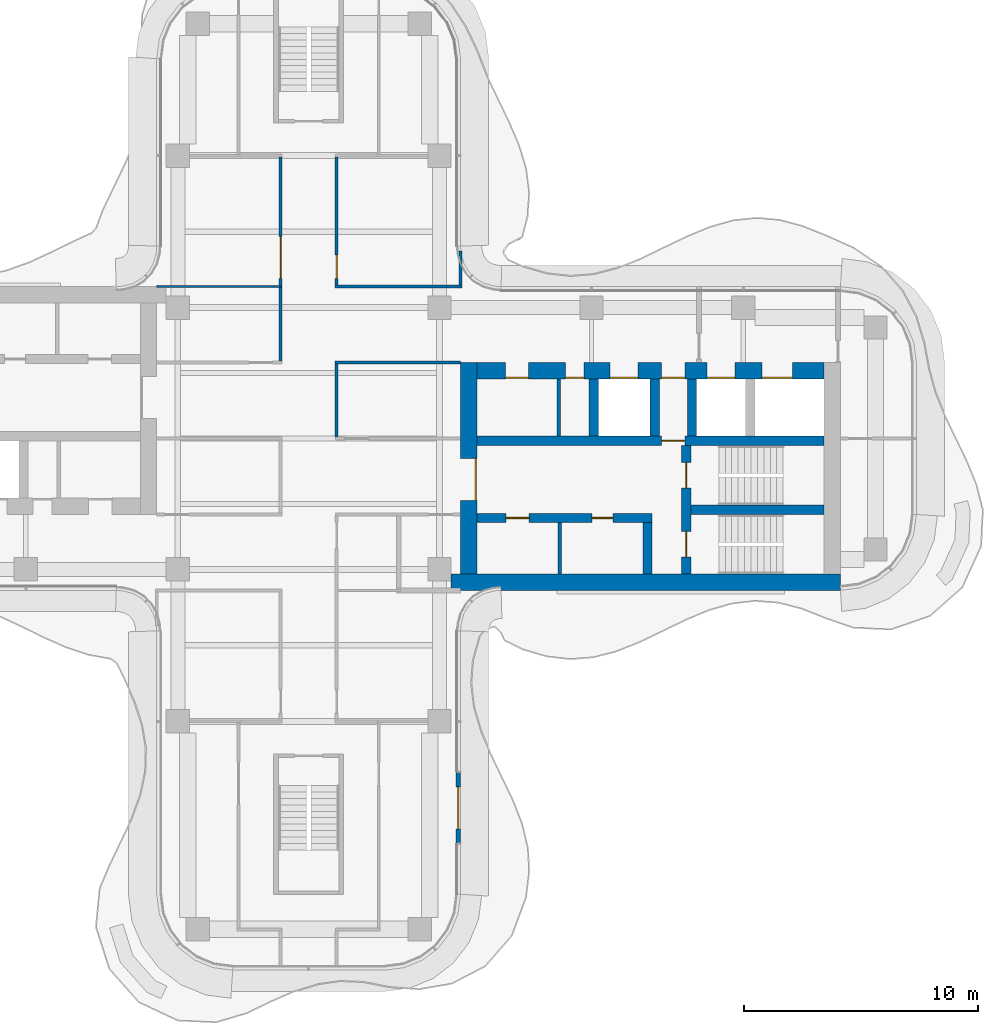
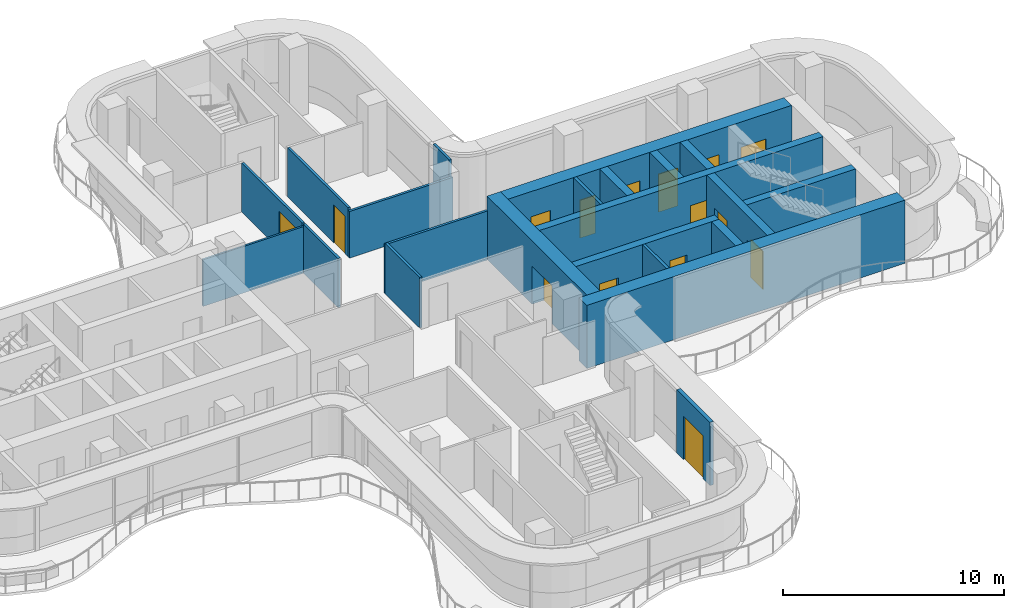
# One storey, part 12 of 15: 22 walls, 15 doors, 15 openings.
"""IFC4 building model written with IfcOpenShell, lengths in metres."""

from ifc_helpers import new_model, si_unit, direction, frame, frame_2d, origin, place, context, subcontext, project, spatial, rectangle, extrude, source, transform, mapped, material, layer, layer_set, type_object, element, fill, save


model = new_model("IFC4")

# Units and contexts
model_context = context("Model", 3, precision=1e-05, world=origin(), true_north=direction((0.0, 1.0)))
body_context = subcontext(model_context, "Body", "Model", "MODEL_VIEW")
ifc_project = project(units=[si_unit("LENGTHUNIT", "METRE"), si_unit("AREAUNIT", "SQUARE_METRE"), si_unit("VOLUMEUNIT", "CUBIC_METRE"), si_unit("PLANEANGLEUNIT", "RADIAN"), si_unit("MASSUNIT", "GRAM", prefix="KILO")], contexts=[model_context])

# Site, building, storey
site_placement = place(None, origin())
site = spatial("IfcSite", under=ifc_project, at=site_placement, CompositionType="ELEMENT")
building_placement = place(site_placement, origin())
building = spatial("IfcBuilding", under=site, at=building_placement, Name="Trellis Farm Tower", CompositionType="ELEMENT")
storey_placement = place(building_placement, frame((0.0, 0.0, 326.199951171875)))
storey = spatial("IfcBuildingStorey", under=building, at=storey_placement, Name="L74", CompositionType="ELEMENT", Elevation=326.199951171875)

# Wall, opening, door
ifc_material_1 = material(Name="Sandstone faced insulated wall", Category="masonry")
ifc_layer_1 = layer(ifc_material_1, 0.199951171875)
ifc_layer_set_1 = layer_set([ifc_layer_1], Name="EXTERNAL INFILL WALL 200")
wall_type_1 = type_object("IfcWallType", Name="EXTERNAL INFILL WALL 200", PredefinedType="SOLIDWALL", material=ifc_layer_set_1)
wall_1_placement = place(storey_placement, frame((6.39990234375, -17.300048828125, 0.0), z_axis=(0.0, 0.0, 1.0), x_axis=(0.0, 1.0, 0.0)))
wall_1 = element("IfcWall", 1, at=wall_1_placement, inside=storey, type_object=wall_type_1, Name="EW1 01", PredefinedType="SOLIDWALL", context=body_context, shape_type="SweptSolid", body=[
    extrude(rectangle(XDim=3.0, YDim=0.199951171875, at=frame_2d((1.5, 0.0))), origin(), (0.0, 0.0, 1.0), 3.5),
])
shared_shape_1 = source(origin(), body_context, "Body", "SweptSolid", [
    extrude(rectangle(XDim=1.800048828125, YDim=2.39990234375, at=frame_2d((0.89990234375, 1.199951171875))), frame((0.0, 0.110107421875, 0.0), z_axis=(0.0, -1.0, 0.0), x_axis=(1.0, 0.0, 0.0)), (0.0, 0.0, 1.0), 0.22021484375),
])
opening_1_placement = place(wall_1_placement, frame((0.60009765625, 0.0, 0.0)))
opening_1 = element("IfcOpeningElement", 2, at=opening_1_placement, cuts=wall_1, Name="Opening ED1", PredefinedType="OPENING", context=body_context, shape_type="MappedRepresentation", body=[
    mapped(shared_shape_1, transform((0.0, 0.0, 0.0))),
])
ifc_material_2 = material(Name="Aluminium framed glazed door", Category="aluminium")
door_type_1 = type_object("IfcDoorType", Name="BALCONY DOOR 1800x2400", OperationType="DOUBLE_DOOR_SINGLE_SWING", PredefinedType="DOOR", material=ifc_material_2)
shared_shape_2 = source(origin(), body_context, "Body", "SweptSolid", [
    extrude(rectangle(XDim=1.800048828125, YDim=2.39990234375, at=frame_2d((0.89990234375, 1.199951171875))), frame((0.0, 0.02490234375, 0.0), z_axis=(0.0, -1.0, 0.0), x_axis=(1.0, 0.0, 0.0)), (0.0, 0.0, 1.0), 0.050048828125),
])
door_1_placement = place(opening_1_placement, origin())
door_1 = element("IfcDoor", 3, at=door_1_placement, inside=storey, type_object=door_type_1, Name="Balcony door", OperationType="DOUBLE_DOOR_SINGLE_SWING", OverallHeight=2.39990234375, OverallWidth=1.800048828125, PredefinedType="DOOR", context=body_context, shape_type="MappedRepresentation", body=[
    mapped(shared_shape_2, transform((0.0, 0.0, 0.0))),
])
fill(opening_1, door_1)

# Walls
ifc_material_3 = material(Name="Plasterboard on steel studs", Category="steel")
ifc_layer_2 = layer(ifc_material_3, 0.10009765625)
ifc_layer_set_2 = layer_set([ifc_layer_2], Name="PARTITION 100 STUD EI 30")
wall_type_2 = type_object("IfcWallType", Name="PARTITION 100 STUD EI 30", PredefinedType="PARTITIONING", material=ifc_layer_set_2)
wall_2_placement = place(storey_placement, frame((-6.5, 6.5, 0.0), z_axis=(0.0, 0.0, 1.0), x_axis=(1.0, 0.0, 0.0)))
element("IfcWall", 4, at=wall_2_placement, inside=storey, type_object=wall_type_2, Name="Partition PW2", PredefinedType="PARTITIONING", context=body_context, shape_type="SweptSolid", body=[
    extrude(rectangle(XDim=5.362548828125, YDim=0.10009765625, at=frame_2d((2.68115234375, 0.0))), origin(), (0.0, 0.0, 1.0), 2.580078125),
])
ifc_material_4 = material(Name="Plasterboard on steel studs, mineral wool", Category="steel")
ifc_layer_3 = layer(ifc_material_4, 0.125)
ifc_layer_set_3 = layer_set([ifc_layer_3], Name="PARTITION 125 STUD EI 60")
wall_type_3 = type_object("IfcWallType", Name="PARTITION 125 STUD EI 60", PredefinedType="PARTITIONING", material=ifc_layer_set_3)
wall_3_placement = place(storey_placement, frame((-1.199951171875, 6.449951171875, 0.0), z_axis=(0.0, 0.0, 1.0), x_axis=(0.0, -1.0, 0.0)))
element("IfcWall", 5, at=wall_3_placement, inside=storey, type_object=wall_type_3, Name="Partition PW1", PredefinedType="PARTITIONING", context=body_context, shape_type="SweptSolid", body=[
    extrude(rectangle(XDim=3.137451171875, YDim=0.125, at=frame_2d((1.56884765625, 0.0))), origin(), (0.0, 0.0, 1.0), 2.7177734375),
])

# Wall, opening, door
wall_4_placement = place(storey_placement, frame((-1.199951171875, 6.550048828125, 0.0), z_axis=(0.0, 0.0, 1.0), x_axis=(0.0, 1.0, 0.0)))
wall_4 = element("IfcWall", 6, at=wall_4_placement, inside=storey, type_object=wall_type_3, Name="Partition PW1", PredefinedType="PARTITIONING", context=body_context, shape_type="SweptSolid", body=[
    extrude(rectangle(XDim=5.487548828125, YDim=0.125, at=frame_2d((2.74365234375, 0.0))), origin(), (0.0, 0.0, 1.0), 2.7177734375),
])
shared_shape_3 = source(origin(), body_context, "Body", "SweptSolid", [
    extrude(rectangle(XDim=1.800048828125, YDim=2.10009765625, at=frame_2d((0.89990234375, 1.050048828125))), frame((0.0, 0.072509765625, 0.0), z_axis=(0.0, -1.0, 0.0), x_axis=(1.0, 0.0, 0.0)), (0.0, 0.0, 1.0), 0.14501953125),
])
opening_2_placement = place(wall_4_placement, frame((0.300048828125, 0.0, 0.0)))
opening_2 = element("IfcOpeningElement", 7, at=opening_2_placement, cuts=wall_4, Name="Opening D202", PredefinedType="OPENING", context=body_context, shape_type="MappedRepresentation", body=[
    mapped(shared_shape_3, transform((0.0, 0.0, 0.0))),
])
ifc_material_5 = material(Name="Fire-rated timber door leaf in a hollow metal frame", Category="wood")
door_type_2 = type_object("IfcDoorType", Name="DOOR PAIR 1800x2100 FD30S", OperationType="NOTDEFINED", PredefinedType="DOOR", material=ifc_material_5)
shared_shape_4 = source(origin(), body_context, "Body", "SweptSolid", [
    extrude(rectangle(XDim=1.800048828125, YDim=2.10009765625, at=frame_2d((0.89990234375, 1.050048828125))), frame((0.0, 0.02490234375, 0.0), z_axis=(0.0, -1.0, 0.0), x_axis=(1.0, 0.0, 0.0)), (0.0, 0.0, 1.0), 0.050048828125),
])
door_2_placement = place(opening_2_placement, origin())
door_2 = element("IfcDoor", 8, at=door_2_placement, inside=storey, type_object=door_type_2, Name="Door D202", OperationType="DOUBLE_DOOR_SINGLE_SWING", OverallHeight=2.10009765625, OverallWidth=1.800048828125, PredefinedType="DOOR", context=body_context, shape_type="MappedRepresentation", body=[
    mapped(shared_shape_4, transform((0.0, 0.0, 0.0))),
])
fill(opening_2, door_2)

ifc_material_6 = material(Name="Concrete C50/60", Category="concrete")
ifc_layer_4 = layer(ifc_material_6, 0.699951171875)
ifc_layer_set_4 = layer_set([ifc_layer_4], Name="CORE OUTER WALL 700 CONCRETE C50/60")
wall_type_4 = type_object("IfcWallType", Name="CORE OUTER WALL 700 CONCRETE C50/60", PredefinedType="SHEAR", material=ifc_layer_set_4)
shared_shape_5 = source(origin(), body_context, "Body", "SweptSolid", [
    extrude(rectangle(XDim=9.050048828125, YDim=0.699951171875, at=frame_2d((4.52490234375, 0.0))), origin(), (0.0, 0.0, 1.0), 3.5),
])
wall_5_placement = place(storey_placement, frame((6.85009765625, -5.800048828125, 0.0), z_axis=(0.0, 0.0, 1.0), x_axis=(0.0, 1.0, 0.0)))
wall_5 = element("IfcWall", 9, at=wall_5_placement, inside=storey, type_object=wall_type_4, Name="Core wall", PredefinedType="SHEAR", context=body_context, shape_type="MappedRepresentation", body=[
    mapped(shared_shape_5, transform((0.0, 0.0, 0.0))),
])
shared_shape_6 = source(origin(), body_context, "Body", "SweptSolid", [
    extrude(rectangle(XDim=1.800048828125, YDim=2.10009765625, at=frame_2d((0.89990234375, 1.050048828125))), frame((0.0, 0.360107421875, 0.0), z_axis=(0.0, -1.0, 0.0), x_axis=(1.0, 0.0, 0.0)), (0.0, 0.0, 1.0), 0.72021484375),
])
opening_3_placement = place(wall_5_placement, frame((3.14990234375, 0.0, 0.0)))
opening_3 = element("IfcOpeningElement", 10, at=opening_3_placement, cuts=wall_5, Name="Opening DC1", PredefinedType="OPENING", context=body_context, shape_type="MappedRepresentation", body=[
    mapped(shared_shape_6, transform((0.0, 0.0, 0.0))),
])
ifc_material_7 = material(Name="Steel", Category="steel")
door_type_3 = type_object("IfcDoorType", Name="CORE FIRE DOOR DOUBLE 1800 X 2100", OperationType="DOUBLE_DOOR_SINGLE_SWING", PredefinedType="DOOR", material=ifc_material_7)
shared_shape_7 = source(origin(), body_context, "Body", "SweptSolid", [
    extrude(rectangle(XDim=1.800048828125, YDim=2.10009765625, at=frame_2d((0.89990234375, 1.050048828125))), frame((0.0, -0.27490234375, 0.0), z_axis=(0.0, -1.0, 0.0), x_axis=(1.0, 0.0, 0.0)), (0.0, 0.0, 1.0), 0.050048828125),
])
door_3_placement = place(opening_3_placement, origin())
door_3 = element("IfcDoor", 11, at=door_3_placement, inside=storey, type_object=door_type_3, Name="Core door", OperationType="DOUBLE_DOOR_SINGLE_SWING", OverallHeight=2.10009765625, OverallWidth=1.800048828125, PredefinedType="DOOR", context=body_context, shape_type="MappedRepresentation", body=[
    mapped(shared_shape_7, transform((0.0, 0.0, 0.0))),
])
fill(opening_3, door_3)

# Walls
ifc_layer_5 = layer(ifc_material_6, 0.39990234375)
ifc_layer_set_5 = layer_set([ifc_layer_5], Name="CORE INNER WALL 400 CONCRETE C50/60")
wall_type_5 = type_object("IfcWallType", Name="CORE INNER WALL 400 CONCRETE C50/60", PredefinedType="SHEAR", material=ifc_layer_set_5)
shared_shape_8 = source(origin(), body_context, "Body", "SweptSolid", [
    extrude(rectangle(XDim=2.449951171875, YDim=0.39990234375, at=frame_2d((1.22509765625, 0.0))), origin(), (0.0, 0.0, 1.0), 3.5),
])
for number, where, z_axis, x_axis, name in (
    (12, (12.199951171875, 0.10009765625, 0.0), (0.0, 0.0, 1.0), (0.0, 1.0, 0.0), "Core wall"),
    (13, (14.800048828125, 0.10009765625, 0.0), (0.0, 0.0, 1.0), (0.0, 1.0, 0.0), "Core wall"),
    (14, (16.39990234375, 0.10009765625, 0.0), (0.0, 0.0, 1.0), (0.0, 1.0, 0.0), "Core wall"),
):
    element("IfcWall", number, at=place(storey_placement, frame(where, z_axis=z_axis, x_axis=x_axis)), inside=storey, type_object=wall_type_5, Name=name, PredefinedType="SHEAR", context=body_context, shape_type="MappedRepresentation", body=[
        mapped(shared_shape_8, transform((0.0, 0.0, 0.0))),
    ])
shared_shape_9 = source(origin(), body_context, "Body", "SweptSolid", [
    extrude(rectangle(XDim=16.64990234375, YDim=0.699951171875, at=frame_2d((8.324951171875, 0.0))), origin(), (0.0, 0.0, 1.0), 3.5),
])
wall_6_placement = place(storey_placement, frame((6.10009765625, -6.14990234375, 0.0), z_axis=(0.0, 0.0, 1.0), x_axis=(1.0, 0.0, 0.0)))
element("IfcWall", 15, at=wall_6_placement, inside=storey, type_object=wall_type_4, Name="Core wall", PredefinedType="SHEAR", context=body_context, shape_type="MappedRepresentation", body=[
    mapped(shared_shape_9, transform((0.0, 0.0, 0.0))),
])

# Wall, openings, doors
shared_shape_10 = source(origin(), body_context, "Body", "SweptSolid", [
    extrude(rectangle(XDim=14.85009765625, YDim=0.699951171875, at=frame_2d((7.425048828125, 0.0))), origin(), (0.0, 0.0, 1.0), 3.5),
])
wall_7_placement = place(storey_placement, frame((7.199951171875, 2.89990234375, 0.0), z_axis=(0.0, 0.0, 1.0), x_axis=(1.0, 0.0, 0.0)))
wall_7 = element("IfcWall", 16, at=wall_7_placement, inside=storey, type_object=wall_type_4, Name="Core wall", PredefinedType="SHEAR", context=body_context, shape_type="MappedRepresentation", body=[
    mapped(shared_shape_10, transform((0.0, 0.0, 0.0))),
])
shared_shape_11 = source(origin(), body_context, "Body", "SweptSolid", [
    extrude(rectangle(XDim=1.199951171875, YDim=2.10009765625, at=frame_2d((0.60009765625, 1.050048828125))), frame((0.0, 0.360107421875, 0.0), z_axis=(0.0, -1.0, 0.0), x_axis=(1.0, 0.0, 0.0)), (0.0, 0.0, 1.0), 0.72021484375),
])
opening_4_placement = place(wall_7_placement, frame((5.699951171875, 0.0, 0.0)))
opening_4 = element("IfcOpeningElement", 17, at=opening_4_placement, cuts=wall_7, Name="Opening LD6", PredefinedType="OPENING", context=body_context, shape_type="MappedRepresentation", body=[
    mapped(shared_shape_11, transform((0.0, 0.0, 0.0))),
])
shared_shape_12 = source(origin(), body_context, "Body", "SweptSolid", [
    extrude(rectangle(XDim=1.300048828125, YDim=2.10009765625, at=frame_2d((0.64990234375, 1.050048828125))), frame((0.0, 0.360107421875, 0.0), z_axis=(0.0, -1.0, 0.0), x_axis=(1.0, 0.0, 0.0)), (0.0, 0.0, 1.0), 0.72021484375),
])
opening_5_placement = place(wall_7_placement, frame((12.199951171875, 0.0, 0.0)))
opening_5 = element("IfcOpeningElement", 18, at=opening_5_placement, cuts=wall_7, Name="Opening LD7", PredefinedType="OPENING", context=body_context, shape_type="MappedRepresentation", body=[
    mapped(shared_shape_12, transform((0.0, 0.0, 0.0))),
])
opening_6_placement = place(wall_7_placement, frame((9.85009765625, 0.0, 0.0)))
opening_6 = element("IfcOpeningElement", 19, at=opening_6_placement, cuts=wall_7, Name="Opening LD8", PredefinedType="OPENING", context=body_context, shape_type="MappedRepresentation", body=[
    mapped(shared_shape_11, transform((0.0, 0.0, 0.0))),
])
shared_shape_13 = source(origin(), body_context, "Body", "SweptSolid", [
    extrude(rectangle(XDim=1.0, YDim=2.10009765625, at=frame_2d((0.5, 1.050048828125))), frame((0.0, 0.360107421875, 0.0), z_axis=(0.0, -1.0, 0.0), x_axis=(1.0, 0.0, 0.0)), (0.0, 0.0, 1.0), 0.72021484375),
])
opening_7_placement = place(wall_7_placement, frame((7.89990234375, 0.0, 0.0)))
opening_7 = element("IfcOpeningElement", 20, at=opening_7_placement, cuts=wall_7, Name="Opening DC6", PredefinedType="OPENING", context=body_context, shape_type="MappedRepresentation", body=[
    mapped(shared_shape_13, transform((0.0, 0.0, 0.0))),
])
opening_8_placement = place(wall_7_placement, frame((1.21240234375, 0.0, 0.0)))
opening_8 = element("IfcOpeningElement", 21, at=opening_8_placement, cuts=wall_7, Name="Opening DC13", PredefinedType="OPENING", context=body_context, shape_type="MappedRepresentation", body=[
    mapped(shared_shape_13, transform((0.0, 0.0, 0.0))),
])
shared_shape_14 = source(origin(), body_context, "Body", "SweptSolid", [
    extrude(rectangle(XDim=0.800048828125, YDim=2.10009765625, at=frame_2d((0.39990234375, 1.050048828125))), frame((0.0, 0.360107421875, 0.0), z_axis=(0.0, -1.0, 0.0), x_axis=(1.0, 0.0, 0.0)), (0.0, 0.0, 1.0), 0.72021484375),
])
opening_9_placement = place(wall_7_placement, frame((3.78759765625, 0.0, 0.0)))
opening_9 = element("IfcOpeningElement", 22, at=opening_9_placement, cuts=wall_7, Name="Opening DC16", PredefinedType="OPENING", context=body_context, shape_type="MappedRepresentation", body=[
    mapped(shared_shape_14, transform((0.0, 0.0, 0.0))),
])
door_type_4 = type_object("IfcDoorType", Name="CORE FIRE DOOR 1000 X 2100", OperationType="NOTDEFINED", PredefinedType="DOOR", material=ifc_material_7)
shared_shape_15 = source(origin(), body_context, "Body", "SweptSolid", [
    extrude(rectangle(XDim=1.0, YDim=2.10009765625, at=frame_2d((0.5, 1.050048828125))), frame((0.0, -0.27490234375, 0.0), z_axis=(0.0, -1.0, 0.0), x_axis=(1.0, 0.0, 0.0)), (0.0, 0.0, 1.0), 0.050048828125),
])
door_4_placement = place(opening_7_placement, origin())
door_4 = element("IfcDoor", 23, at=door_4_placement, inside=storey, type_object=door_type_4, Name="Core door", OperationType="SINGLE_SWING_LEFT", OverallHeight=2.10009765625, OverallWidth=1.0, PredefinedType="DOOR", context=body_context, shape_type="MappedRepresentation", body=[
    mapped(shared_shape_15, transform((0.0, 0.0, 0.0))),
])
fill(opening_7, door_4)
door_5_placement = place(opening_8_placement, origin())
door_5 = element("IfcDoor", 24, at=door_5_placement, inside=storey, type_object=door_type_4, Name="Core door", OperationType="SINGLE_SWING_LEFT", OverallHeight=2.10009765625, OverallWidth=1.0, PredefinedType="DOOR", context=body_context, shape_type="MappedRepresentation", body=[
    mapped(shared_shape_15, transform((0.0, 0.0, 0.0))),
])
fill(opening_8, door_5)
ifc_material_8 = material(Name="Stainless steel", Category="steel")
door_type_5 = type_object("IfcDoorType", Name="LIFT LANDING DOOR 1300 X 2100", OperationType="DOUBLE_DOOR_SLIDING", PredefinedType="DOOR", material=ifc_material_8)
shared_shape_16 = source(origin(), body_context, "Body", "SweptSolid", [
    extrude(rectangle(XDim=1.300048828125, YDim=2.10009765625, at=frame_2d((0.64990234375, 1.050048828125))), frame((0.0, -0.27490234375, 0.0), z_axis=(0.0, -1.0, 0.0), x_axis=(1.0, 0.0, 0.0)), (0.0, 0.0, 1.0), 0.050048828125),
])
door_6_placement = place(opening_5_placement, origin())
door_6 = element("IfcDoor", 25, at=door_6_placement, inside=storey, type_object=door_type_5, Name="Lift landing door", OperationType="DOUBLE_DOOR_SLIDING", OverallHeight=2.10009765625, OverallWidth=1.300048828125, PredefinedType="DOOR", context=body_context, shape_type="MappedRepresentation", body=[
    mapped(shared_shape_16, transform((0.0, 0.0, 0.0))),
])
fill(opening_5, door_6)
door_type_6 = type_object("IfcDoorType", Name="LIFT LANDING DOOR 1200 X 2100", OperationType="DOUBLE_DOOR_SLIDING", PredefinedType="DOOR", material=ifc_material_8)
shared_shape_17 = source(origin(), body_context, "Body", "SweptSolid", [
    extrude(rectangle(XDim=1.199951171875, YDim=2.10009765625, at=frame_2d((0.60009765625, 1.050048828125))), frame((0.0, -0.27490234375, 0.0), z_axis=(0.0, -1.0, 0.0), x_axis=(1.0, 0.0, 0.0)), (0.0, 0.0, 1.0), 0.050048828125),
])
door_7_placement = place(opening_4_placement, origin())
door_7 = element("IfcDoor", 26, at=door_7_placement, inside=storey, type_object=door_type_6, Name="Lift landing door", OperationType="DOUBLE_DOOR_SLIDING", OverallHeight=2.10009765625, OverallWidth=1.199951171875, PredefinedType="DOOR", context=body_context, shape_type="MappedRepresentation", body=[
    mapped(shared_shape_17, transform((0.0, 0.0, 0.0))),
])
fill(opening_4, door_7)
door_8_placement = place(opening_6_placement, origin())
door_8 = element("IfcDoor", 27, at=door_8_placement, inside=storey, type_object=door_type_6, Name="Lift landing door", OperationType="DOUBLE_DOOR_SLIDING", OverallHeight=2.10009765625, OverallWidth=1.199951171875, PredefinedType="DOOR", context=body_context, shape_type="MappedRepresentation", body=[
    mapped(shared_shape_17, transform((0.0, 0.0, 0.0))),
])
fill(opening_6, door_8)
door_type_7 = type_object("IfcDoorType", Name="CORE FIRE DOOR 800 X 2100", OperationType="NOTDEFINED", PredefinedType="DOOR", material=ifc_material_7)
shared_shape_18 = source(origin(), body_context, "Body", "SweptSolid", [
    extrude(rectangle(XDim=0.800048828125, YDim=2.10009765625, at=frame_2d((0.39990234375, 1.050048828125))), frame((0.0, -0.27490234375, 0.0), z_axis=(0.0, -1.0, 0.0), x_axis=(1.0, 0.0, 0.0)), (0.0, 0.0, 1.0), 0.050048828125),
])
door_9_placement = place(opening_9_placement, origin())
door_9 = element("IfcDoor", 28, at=door_9_placement, inside=storey, type_object=door_type_7, Name="Core door", OperationType="SINGLE_SWING_RIGHT", OverallHeight=2.10009765625, OverallWidth=0.800048828125, PredefinedType="DOOR", context=body_context, shape_type="MappedRepresentation", body=[
    mapped(shared_shape_18, transform((0.0, 0.0, 0.0))),
])
fill(opening_9, door_9)

shared_shape_19 = source(origin(), body_context, "Body", "SweptSolid", [
    extrude(rectangle(XDim=7.5, YDim=0.39990234375, at=frame_2d((3.75, 0.0))), origin(), (0.0, 0.0, 1.0), 3.5),
])
wall_8_placement = place(storey_placement, frame((7.199951171875, -3.39990234375, 0.0), z_axis=(0.0, 0.0, 1.0), x_axis=(1.0, 0.0, 0.0)))
wall_8 = element("IfcWall", 29, at=wall_8_placement, inside=storey, type_object=wall_type_5, Name="Core wall", PredefinedType="SHEAR", context=body_context, shape_type="MappedRepresentation", body=[
    mapped(shared_shape_19, transform((0.0, 0.0, 0.0))),
])
shared_shape_20 = source(origin(), body_context, "Body", "SweptSolid", [
    extrude(rectangle(XDim=1.0, YDim=2.10009765625, at=frame_2d((0.5, 1.050048828125))), frame((0.0, 0.2099609375, 0.0), z_axis=(0.0, -1.0, 0.0), x_axis=(1.0, 0.0, 0.0)), (0.0, 0.0, 1.0), 0.419921875),
])
opening_10_placement = place(wall_8_placement, frame((1.237548828125, 0.0, 0.0)))
opening_10 = element("IfcOpeningElement", 30, at=opening_10_placement, cuts=wall_8, Name="Opening DC55", PredefinedType="OPENING", context=body_context, shape_type="MappedRepresentation", body=[
    mapped(shared_shape_20, transform((0.0, 0.0, 0.0))),
])
shared_shape_21 = source(origin(), body_context, "Body", "SweptSolid", [
    extrude(rectangle(XDim=0.89990234375, YDim=2.10009765625, at=frame_2d((0.449951171875, 1.050048828125))), frame((0.0, 0.2099609375, 0.0), z_axis=(0.0, -1.0, 0.0), x_axis=(1.0, 0.0, 0.0)), (0.0, 0.0, 1.0), 0.419921875),
])
opening_11_placement = place(wall_8_placement, frame((4.91259765625, 0.0, 0.0)))
opening_11 = element("IfcOpeningElement", 31, at=opening_11_placement, cuts=wall_8, Name="Opening DC60", PredefinedType="OPENING", context=body_context, shape_type="MappedRepresentation", body=[
    mapped(shared_shape_21, transform((0.0, 0.0, 0.0))),
])
shared_shape_22 = source(origin(), body_context, "Body", "SweptSolid", [
    extrude(rectangle(XDim=1.0, YDim=2.10009765625, at=frame_2d((0.5, 1.050048828125))), frame((0.0, 0.02490234375, 0.0), z_axis=(0.0, -1.0, 0.0), x_axis=(1.0, 0.0, 0.0)), (0.0, 0.0, 1.0), 0.050048828125),
])
door_10_placement = place(opening_10_placement, origin())
door_10 = element("IfcDoor", 32, at=door_10_placement, inside=storey, type_object=door_type_4, Name="Core door", OperationType="SINGLE_SWING_LEFT", OverallHeight=2.10009765625, OverallWidth=1.0, PredefinedType="DOOR", context=body_context, shape_type="MappedRepresentation", body=[
    mapped(shared_shape_22, transform((0.0, 0.0, 0.0))),
])
fill(opening_10, door_10)
door_type_8 = type_object("IfcDoorType", Name="CORE FIRE DOOR 900 X 2100", OperationType="NOTDEFINED", PredefinedType="DOOR", material=ifc_material_7)
shared_shape_23 = source(origin(), body_context, "Body", "SweptSolid", [
    extrude(rectangle(XDim=0.89990234375, YDim=2.10009765625, at=frame_2d((0.449951171875, 1.050048828125))), frame((0.0, 0.02490234375, 0.0), z_axis=(0.0, -1.0, 0.0), x_axis=(1.0, 0.0, 0.0)), (0.0, 0.0, 1.0), 0.050048828125),
])
door_11_placement = place(opening_11_placement, origin())
door_11 = element("IfcDoor", 33, at=door_11_placement, inside=storey, type_object=door_type_8, Name="Core door", OperationType="SINGLE_SWING_RIGHT", OverallHeight=2.10009765625, OverallWidth=0.89990234375, PredefinedType="DOOR", context=body_context, shape_type="MappedRepresentation", body=[
    mapped(shared_shape_23, transform((0.0, 0.0, 0.0))),
])
fill(opening_11, door_11)

# Wall, opening, door
shared_shape_24 = source(origin(), body_context, "Body", "SweptSolid", [
    extrude(rectangle(XDim=14.85009765625, YDim=0.39990234375, at=frame_2d((7.425048828125, 0.0))), origin(), (0.0, 0.0, 1.0), 3.5),
])
wall_9_placement = place(storey_placement, frame((7.199951171875, -0.10009765625, 0.0), z_axis=(0.0, 0.0, 1.0), x_axis=(1.0, 0.0, 0.0)))
wall_9 = element("IfcWall", 34, at=wall_9_placement, inside=storey, type_object=wall_type_5, Name="Core wall", PredefinedType="SHEAR", context=body_context, shape_type="MappedRepresentation", body=[
    mapped(shared_shape_24, transform((0.0, 0.0, 0.0))),
])
opening_12_placement = place(wall_9_placement, frame((7.89990234375, 0.0, 0.0)))
opening_12 = element("IfcOpeningElement", 35, at=opening_12_placement, cuts=wall_9, Name="Opening DC5", PredefinedType="OPENING", context=body_context, shape_type="MappedRepresentation", body=[
    mapped(shared_shape_20, transform((0.0, 0.0, 0.0))),
])
door_12_placement = place(opening_12_placement, origin())
door_12 = element("IfcDoor", 36, at=door_12_placement, inside=storey, type_object=door_type_4, Name="Core door", OperationType="SINGLE_SWING_RIGHT", OverallHeight=2.10009765625, OverallWidth=1.0, PredefinedType="DOOR", context=body_context, shape_type="MappedRepresentation", body=[
    mapped(shared_shape_22, transform((0.0, 0.0, 0.0))),
])
fill(opening_12, door_12)

# Wall, openings, doors
shared_shape_25 = source(origin(), body_context, "Body", "SweptSolid", [
    extrude(rectangle(XDim=5.5, YDim=0.39990234375, at=frame_2d((2.75, 0.0))), origin(), (0.0, 0.0, 1.0), 3.5),
])
wall_10_placement = place(storey_placement, frame((16.14990234375, -5.800048828125, 0.0), z_axis=(0.0, 0.0, 1.0), x_axis=(0.0, 1.0, 0.0)))
wall_10 = element("IfcWall", 37, at=wall_10_placement, inside=storey, type_object=wall_type_5, Name="Core wall", PredefinedType="SHEAR", context=body_context, shape_type="MappedRepresentation", body=[
    mapped(shared_shape_25, transform((0.0, 0.0, 0.0))),
])
shared_shape_26 = source(origin(), body_context, "Body", "SweptSolid", [
    extrude(rectangle(XDim=1.10009765625, YDim=2.10009765625, at=frame_2d((0.550048828125, 1.050048828125))), frame((0.0, 0.2099609375, 0.0), z_axis=(0.0, -1.0, 0.0), x_axis=(1.0, 0.0, 0.0)), (0.0, 0.0, 1.0), 0.419921875),
])
opening_13_placement = place(wall_10_placement, frame((0.72509765625, 0.0, 0.0)))
opening_13 = element("IfcOpeningElement", 38, at=opening_13_placement, cuts=wall_10, Name="Opening DC2", PredefinedType="OPENING", context=body_context, shape_type="MappedRepresentation", body=[
    mapped(shared_shape_26, transform((0.0, 0.0, 0.0))),
])
opening_14_placement = place(wall_10_placement, frame((3.675048828125, 0.0, 0.0)))
opening_14 = element("IfcOpeningElement", 39, at=opening_14_placement, cuts=wall_10, Name="Opening DC3", PredefinedType="OPENING", context=body_context, shape_type="MappedRepresentation", body=[
    mapped(shared_shape_26, transform((0.0, 0.0, 0.0))),
])
door_type_9 = type_object("IfcDoorType", Name="CORE FIRE DOOR 1100 X 2100", OperationType="NOTDEFINED", PredefinedType="DOOR", material=ifc_material_7)
shared_shape_27 = source(origin(), body_context, "Body", "SweptSolid", [
    extrude(rectangle(XDim=1.10009765625, YDim=2.10009765625, at=frame_2d((0.550048828125, 1.050048828125))), frame((0.0, 0.02490234375, 0.0), z_axis=(0.0, -1.0, 0.0), x_axis=(1.0, 0.0, 0.0)), (0.0, 0.0, 1.0), 0.050048828125),
])
door_13_placement = place(opening_13_placement, origin())
door_13 = element("IfcDoor", 40, at=door_13_placement, inside=storey, type_object=door_type_9, Name="Core door", OperationType="SINGLE_SWING_RIGHT", OverallHeight=2.10009765625, OverallWidth=1.10009765625, PredefinedType="DOOR", context=body_context, shape_type="MappedRepresentation", body=[
    mapped(shared_shape_27, transform((0.0, 0.0, 0.0))),
])
fill(opening_13, door_13)
door_14_placement = place(opening_14_placement, origin())
door_14 = element("IfcDoor", 41, at=door_14_placement, inside=storey, type_object=door_type_9, Name="Core door", OperationType="SINGLE_SWING_LEFT", OverallHeight=2.10009765625, OverallWidth=1.10009765625, PredefinedType="DOOR", context=body_context, shape_type="MappedRepresentation", body=[
    mapped(shared_shape_27, transform((0.0, 0.0, 0.0))),
])
fill(opening_14, door_14)

# Walls
shared_shape_28 = source(origin(), body_context, "Body", "SweptSolid", [
    extrude(rectangle(XDim=5.699951171875, YDim=0.39990234375, at=frame_2d((2.85009765625, 0.0))), origin(), (0.0, 0.0, 1.0), 3.5),
])
wall_11_placement = place(storey_placement, frame((16.35009765625, -3.050048828125, 0.0), z_axis=(0.0, 0.0, 1.0), x_axis=(1.0, 0.0, 0.0)))
element("IfcWall", 42, at=wall_11_placement, inside=storey, type_object=wall_type_5, Name="Core wall", PredefinedType="SHEAR", context=body_context, shape_type="MappedRepresentation", body=[
    mapped(shared_shape_28, transform((0.0, 0.0, 0.0))),
])
shared_shape_29 = source(origin(), body_context, "Body", "SweptSolid", [
    extrude(rectangle(XDim=2.199951171875, YDim=0.39990234375, at=frame_2d((1.10009765625, 0.0))), origin(), (0.0, 0.0, 1.0), 3.5),
])
wall_12_placement = place(storey_placement, frame((14.5, -5.800048828125, 0.0), z_axis=(0.0, 0.0, 1.0), x_axis=(0.0, 1.0, 0.0)))
element("IfcWall", 43, at=wall_12_placement, inside=storey, type_object=wall_type_5, Name="Core wall", PredefinedType="SHEAR", context=body_context, shape_type="MappedRepresentation", body=[
    mapped(shared_shape_29, transform((0.0, 0.0, 0.0))),
])
ifc_material_9 = material(Name="Masonry blockwork", Category="masonry")
ifc_layer_6 = layer(ifc_material_9, 0.14990234375)
ifc_layer_set_6 = layer_set([ifc_layer_6], Name="CORE PARTITION 150 BLOCKWORK")
wall_type_6 = type_object("IfcWallType", Name="CORE PARTITION 150 BLOCKWORK", PredefinedType="PARTITIONING", material=ifc_layer_set_6)
shared_shape_30 = source(origin(), body_context, "Body", "SweptSolid", [
    extrude(rectangle(XDim=2.199951171875, YDim=0.14990234375, at=frame_2d((1.10009765625, 0.0))), origin(), (0.0, 0.0, 1.0), 3.5),
])
wall_13_placement = place(storey_placement, frame((10.75, -5.800048828125, 0.0), z_axis=(0.0, 0.0, 1.0), x_axis=(0.0, 1.0, 0.0)))
element("IfcWall", 44, at=wall_13_placement, inside=storey, type_object=wall_type_6, Name="Core room partition", PredefinedType="PARTITIONING", context=body_context, shape_type="MappedRepresentation", body=[
    mapped(shared_shape_30, transform((0.0, 0.0, 0.0))),
])
shared_shape_31 = source(origin(), body_context, "Body", "SweptSolid", [
    extrude(rectangle(XDim=2.449951171875, YDim=0.14990234375, at=frame_2d((1.22509765625, 0.0))), origin(), (0.0, 0.0, 1.0), 3.5),
])
wall_14_placement = place(storey_placement, frame((10.699951171875, 0.10009765625, 0.0), z_axis=(0.0, 0.0, 1.0), x_axis=(0.0, 1.0, 0.0)))
element("IfcWall", 45, at=wall_14_placement, inside=storey, type_object=wall_type_6, Name="Core room partition", PredefinedType="PARTITIONING", context=body_context, shape_type="MappedRepresentation", body=[
    mapped(shared_shape_31, transform((0.0, 0.0, 0.0))),
])
shared_shape_32 = source(origin(), body_context, "Body", "SweptSolid", [
    extrude(rectangle(XDim=3.125, YDim=0.125, at=frame_2d((1.5625, 0.0))), origin(), (0.0, 0.0, 1.0), 2.796630859375),
])
wall_15_placement = place(storey_placement, frame((1.199951171875, 3.1875, 0.0), z_axis=(0.0, 0.0, 1.0), x_axis=(0.0, -1.0, 0.0)))
element("IfcWall", 46, at=wall_15_placement, inside=storey, type_object=wall_type_3, Name="Partition PW1", PredefinedType="PARTITIONING", context=body_context, shape_type="MappedRepresentation", body=[
    mapped(shared_shape_32, transform((0.0, 0.0, 0.0))),
])

# Wall, opening, door
shared_shape_33 = source(origin(), body_context, "Body", "SweptSolid", [
    extrude(rectangle(XDim=5.47509765625, YDim=0.125, at=frame_2d((2.737548828125, 0.0))), origin(), (0.0, 0.0, 1.0), 2.7177734375),
])
wall_16_placement = place(storey_placement, frame((1.199951171875, 12.03759765625, 0.0), z_axis=(0.0, 0.0, 1.0), x_axis=(0.0, -1.0, 0.0)))
wall_16 = element("IfcWall", 47, at=wall_16_placement, inside=storey, type_object=wall_type_3, Name="Partition PW1", PredefinedType="PARTITIONING", context=body_context, shape_type="MappedRepresentation", body=[
    mapped(shared_shape_33, transform((0.0, 0.0, 0.0))),
])
shared_shape_34 = source(origin(), body_context, "Body", "SweptSolid", [
    extrude(rectangle(XDim=1.0, YDim=2.10009765625, at=frame_2d((0.5, 1.050048828125))), frame((0.0, 0.072509765625, 0.0), z_axis=(0.0, -1.0, 0.0), x_axis=(1.0, 0.0, 0.0)), (0.0, 0.0, 1.0), 0.14501953125),
])
opening_15_placement = place(wall_16_placement, frame((4.1875, 0.0, 0.0)))
opening_15 = element("IfcOpeningElement", 48, at=opening_15_placement, cuts=wall_16, Name="Opening D109", PredefinedType="OPENING", context=body_context, shape_type="MappedRepresentation", body=[
    mapped(shared_shape_34, transform((0.0, 0.0, 0.0))),
])
door_type_10 = type_object("IfcDoorType", Name="DOOR 1000x2100 FD30S", OperationType="NOTDEFINED", PredefinedType="DOOR", material=ifc_material_5)
door_15_placement = place(opening_15_placement, origin())
door_15 = element("IfcDoor", 49, at=door_15_placement, inside=storey, type_object=door_type_10, Name="Door D109", OperationType="SINGLE_SWING_RIGHT", OverallHeight=2.10009765625, OverallWidth=1.0, PredefinedType="DOOR", context=body_context, shape_type="MappedRepresentation", body=[
    mapped(shared_shape_22, transform((0.0, 0.0, 0.0))),
])
fill(opening_15, door_15)

# Walls
shared_shape_35 = source(origin(), body_context, "Body", "SweptSolid", [
    extrude(rectangle(XDim=1.468994140625, YDim=0.125, at=frame_2d((0.734375, 0.0))), origin(), (0.0, 0.0, 1.0), 3.5),
])
wall_17_placement = place(storey_placement, frame((6.5, 6.5625, 0.0), z_axis=(0.0, 0.0, 1.0), x_axis=(0.0, 1.0, 0.0)))
element("IfcWall", 50, at=wall_17_placement, inside=storey, type_object=wall_type_3, Name="Partition PW1", PredefinedType="PARTITIONING", context=body_context, shape_type="MappedRepresentation", body=[
    mapped(shared_shape_35, transform((0.0, 0.0, 0.0))),
])
shared_shape_36 = source(origin(), body_context, "Body", "SweptSolid", [
    extrude(rectangle(XDim=5.362548828125, YDim=0.125, at=frame_2d((2.68115234375, 0.0))), origin(), (0.0, 0.0, 1.0), 2.7177734375),
])
wall_18_placement = place(storey_placement, frame((1.137451171875, 3.25, 0.0), z_axis=(0.0, 0.0, 1.0), x_axis=(1.0, 0.0, 0.0)))
element("IfcWall", 51, at=wall_18_placement, inside=storey, type_object=wall_type_3, Name="Partition PW1", PredefinedType="PARTITIONING", context=body_context, shape_type="MappedRepresentation", body=[
    mapped(shared_shape_36, transform((0.0, 0.0, 0.0))),
])
shared_shape_37 = source(origin(), body_context, "Body", "SweptSolid", [
    extrude(rectangle(XDim=5.425048828125, YDim=0.125, at=frame_2d((2.71240234375, 0.0))), origin(), (0.0, 0.0, 1.0), 2.580078125),
])
wall_19_placement = place(storey_placement, frame((1.137451171875, 6.5, 0.0), z_axis=(0.0, 0.0, 1.0), x_axis=(1.0, 0.0, 0.0)))
element("IfcWall", 52, at=wall_19_placement, inside=storey, type_object=wall_type_3, Name="Partition PW1", PredefinedType="PARTITIONING", context=body_context, shape_type="MappedRepresentation", body=[
    mapped(shared_shape_37, transform((0.0, 0.0, 0.0))),
])

save(model, "model.ifc")
